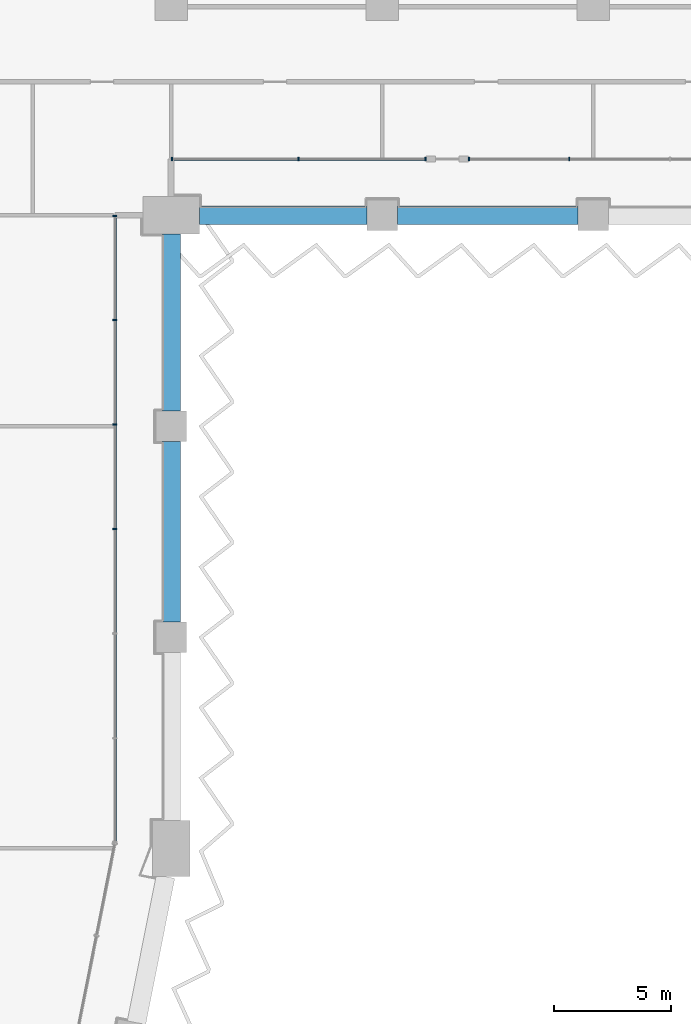
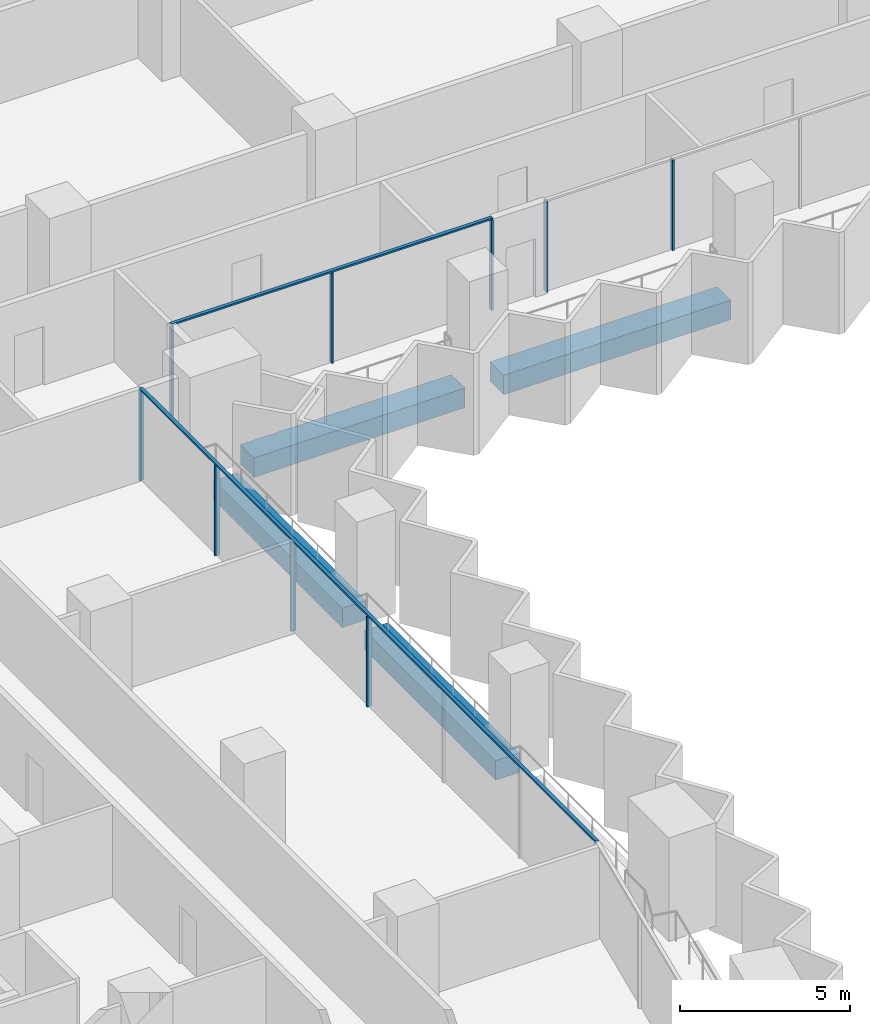
# One storey, part 4 of 29: 11 members, 4 beams, 3 elements without a shape of their own.
"""IFC4 building model written with IfcOpenShell, lengths in metres."""

from ifc_helpers import new_model, si_unit, direction, frame, origin, origin_2d, place, context, subcontext, project, spatial, rectangle, extrude, material, material_profile, profile_set, type_object, element, aggregate, save


model = new_model("IFC4")

# Units and contexts
model_context = context("Model", 3, precision=1e-05, world=origin(), true_north=direction((0.0, 1.0)))
body_context = subcontext(model_context, "Body", "Model", "MODEL_VIEW")
ifc_project = project(units=[si_unit("LENGTHUNIT", "METRE"), si_unit("AREAUNIT", "SQUARE_METRE"), si_unit("VOLUMEUNIT", "CUBIC_METRE"), si_unit("PLANEANGLEUNIT", "RADIAN"), si_unit("MASSUNIT", "GRAM", prefix="KILO")], contexts=[model_context])

# Site, building, storey
site_placement = place(None, origin())
site = spatial("IfcSite", under=ifc_project, at=site_placement, CompositionType="ELEMENT")
building_placement = place(site_placement, origin())
building = spatial("IfcBuilding", under=site, at=building_placement, Name="Hunhe Ridgeline Campus", CompositionType="ELEMENT")
storey_placement = place(building_placement, frame((0.0, 0.0, 46.89990234375)))
storey = spatial("IfcBuildingStorey", under=building, at=storey_placement, Name="L10", CompositionType="ELEMENT", Elevation=46.89990234375)

# Curtain wall, members
ifc_material_1 = material(Name="Aluminium 6063", Category="aluminium")
curtain_wall_type = type_object("IfcCurtainWallType", Name="Curtain wall CW-1", PredefinedType="NOTDEFINED", material=ifc_material_1)
curtain_wall_1_placement = place(storey_placement, origin())
curtain_wall_1 = element("IfcCurtainWall", 1, at=curtain_wall_1_placement, inside=storey, type_object=curtain_wall_type, Name="Curtain wall 11", PredefinedType="NOTDEFINED")
ifc_material_profile_1 = material_profile(ifc_material_1, rectangle(XDim=0.159912109375, YDim=0.06005859375, at=origin_2d()))
ifc_profile_set_1 = profile_set([ifc_material_profile_1], Name="Aluminium 6063")
member_type_1 = type_object("IfcMemberType", Name="CW-1 aluminium mullion", PredefinedType="MULLION", material=ifc_profile_set_1)
member_1_placement = place(storey_placement, frame((42.59912109375, 40.618408203125, 0.0), z_axis=(0.0, 0.0, 1.0), x_axis=(-1.0, 1.8682e-07, 0.0)))
member_1 = element("IfcMember", 2, at=member_1_placement, type_object=member_type_1, Name="CW-1 mullion 4", PredefinedType="MULLION", context=body_context, shape_type="SweptSolid", body=[
    extrude(rectangle(XDim=0.159912109375, YDim=0.06005859375, at=origin_2d()), origin(), (0.0, 0.0, 1.0), 3.239990234375),
])
member_2_placement = place(storey_placement, frame((42.59912109375, 45.078857421875, 0.0), z_axis=(0.0, 0.0, 1.0), x_axis=(-1.0, 1.8682e-07, 0.0)))
member_2 = element("IfcMember", 3, at=member_2_placement, type_object=member_type_1, Name="CW-1 mullion 5", PredefinedType="MULLION", context=body_context, shape_type="SweptSolid", body=[
    extrude(rectangle(XDim=0.159912109375, YDim=0.06005859375, at=origin_2d()), origin(), (0.0, 0.0, 1.0), 3.239990234375),
])
member_3_placement = place(storey_placement, frame((42.59912109375, 49.53955078125, 0.0), z_axis=(0.0, 0.0, 1.0), x_axis=(-1.0, 1.8682e-07, 0.0)))
member_3 = element("IfcMember", 4, at=member_3_placement, type_object=member_type_1, Name="CW-1 mullion 6", PredefinedType="MULLION", context=body_context, shape_type="SweptSolid", body=[
    extrude(rectangle(XDim=0.159912109375, YDim=0.06005859375, at=origin_2d()), origin(), (0.0, 0.0, 1.0), 3.239990234375),
])
member_4_placement = place(storey_placement, frame((42.59912109375, 53.97021484375, 0.0), z_axis=(0.0, 0.0, 1.0), x_axis=(-1.0, 1.8682e-07, 0.0)))
member_4 = element("IfcMember", 5, at=member_4_placement, type_object=member_type_1, Name="CW-1 mullion 7", PredefinedType="MULLION", context=body_context, shape_type="SweptSolid", body=[
    extrude(rectangle(XDim=0.159912109375, YDim=0.06005859375, at=origin_2d()), origin(), (0.0, 0.0, 1.0), 3.239990234375),
])

curtain_wall_2_placement = place(storey_placement, origin())
curtain_wall_2 = element("IfcCurtainWall", 6, at=curtain_wall_2_placement, inside=storey, type_object=curtain_wall_type, Name="Curtain wall 12", PredefinedType="NOTDEFINED")
member_5_placement = place(storey_placement, frame((45.029541015625, 56.40087890625, 0.0), z_axis=(0.0, 0.0, 1.0), x_axis=(-3.58625e-06, 0.999999999994, 0.0)))
member_5 = element("IfcMember", 7, at=member_5_placement, type_object=member_type_1, Name="CW-1 mullion 1", PredefinedType="MULLION", context=body_context, shape_type="SweptSolid", body=[
    extrude(rectangle(XDim=0.159912109375, YDim=0.06005859375, at=origin_2d()), origin(), (0.0, 0.0, 1.0), 3.239990234375),
])
member_6_placement = place(storey_placement, frame((50.436767578125, 56.40087890625, 0.0), z_axis=(0.0, 0.0, 1.0), x_axis=(-3.58625e-06, 0.999999999994, 0.0)))
member_6 = element("IfcMember", 8, at=member_6_placement, type_object=member_type_1, Name="CW-1 mullion 2", PredefinedType="MULLION", context=body_context, shape_type="SweptSolid", body=[
    extrude(rectangle(XDim=0.159912109375, YDim=0.06005859375, at=origin_2d()), origin(), (0.0, 0.0, 1.0), 3.239990234375),
])
member_7_placement = place(storey_placement, frame((55.84423828125, 56.40087890625, 0.0), z_axis=(0.0, 0.0, 1.0), x_axis=(-3.58625e-06, 0.999999999994, 0.0)))
member_7 = element("IfcMember", 9, at=member_7_placement, type_object=member_type_1, Name="CW-1 mullion 3", PredefinedType="MULLION", context=body_context, shape_type="SweptSolid", body=[
    extrude(rectangle(XDim=0.159912109375, YDim=0.06005859375, at=origin_2d()), origin(), (0.0, 0.0, 1.0), 3.239990234375),
])

curtain_wall_3_placement = place(storey_placement, origin())
curtain_wall_3 = element("IfcCurtainWall", 10, at=curtain_wall_3_placement, inside=storey, type_object=curtain_wall_type, Name="Curtain wall 13", PredefinedType="NOTDEFINED")
member_8_placement = place(storey_placement, frame((57.704345703125, 56.40087890625, 0.0), z_axis=(0.0, 0.0, 1.0), x_axis=(-3.602063e-06, 0.999999999994, 0.0)))
member_8 = element("IfcMember", 11, at=member_8_placement, type_object=member_type_1, Name="CW-1 mullion 1", PredefinedType="MULLION", context=body_context, shape_type="SweptSolid", body=[
    extrude(rectangle(XDim=0.159912109375, YDim=0.06005859375, at=origin_2d()), origin(), (0.0, 0.0, 1.0), 3.239990234375),
])
member_9_placement = place(storey_placement, frame((61.977294921875, 56.40087890625, 0.0), z_axis=(0.0, 0.0, 1.0), x_axis=(-3.602063e-06, 0.999999999994, 0.0)))
member_9 = element("IfcMember", 12, at=member_9_placement, type_object=member_type_1, Name="CW-1 mullion 2", PredefinedType="MULLION", context=body_context, shape_type="SweptSolid", body=[
    extrude(rectangle(XDim=0.159912109375, YDim=0.06005859375, at=origin_2d()), origin(), (0.0, 0.0, 1.0), 3.239990234375),
])
aggregate(curtain_wall_3, [member_8, member_9])

# Member
ifc_material_profile_2 = material_profile(ifc_material_1, rectangle(XDim=0.1201171875, YDim=0.06005859375, at=origin_2d()))
ifc_profile_set_2 = profile_set([ifc_material_profile_2], Name="Aluminium 6063")
member_type_2 = type_object("IfcMemberType", Name="CW-1 aluminium transom", PredefinedType="USERDEFINED", material=ifc_profile_set_2)
member_10_placement = place(storey_placement, frame((42.59912109375, 27.236572265625, 3.27001953125), z_axis=(0.0, 1.0, 0.0), x_axis=(-1.0, 0.0, 0.0)))
member_10 = element("IfcMember", 13, at=member_10_placement, type_object=member_type_2, Name="CW-1 transom 1", ObjectType="TRANSOM", PredefinedType="USERDEFINED", context=body_context, shape_type="SweptSolid", body=[
    extrude(rectangle(XDim=0.1201171875, YDim=0.06005859375, at=origin_2d()), origin(), (0.0, 0.0, 1.0), 26.763427734375),
])

aggregate(curtain_wall_1, [member_10, member_1, member_2, member_3, member_4])

member_11_placement = place(storey_placement, frame((44.99951171875, 56.40087890625, 3.27001953125), z_axis=(1.0, 0.0, 0.0), x_axis=(0.0, 1.0, 0.0)))
member_11 = element("IfcMember", 14, at=member_11_placement, type_object=member_type_2, Name="CW-1 transom 1", ObjectType="TRANSOM", PredefinedType="USERDEFINED", context=body_context, shape_type="SweptSolid", body=[
    extrude(rectangle(XDim=0.1201171875, YDim=0.06005859375, at=origin_2d()), origin(), (0.0, 0.0, 1.0), 10.874755859375),
])

aggregate(curtain_wall_2, [member_11, member_5, member_6, member_7])

# Beams
ifc_material_2 = material(Name="Concrete C60", Category="concrete")
ifc_material_profile_3 = material_profile(ifc_material_2, rectangle(XDim=0.800048828125, YDim=0.699951171875, at=origin_2d()))
ifc_profile_set_3 = profile_set([ifc_material_profile_3], Name="Concrete C60")
beam_type = type_object("IfcBeamType", Name="RC spandrel beam 800x700 Concrete C60", PredefinedType="SPANDREL", material=ifc_profile_set_3)
beam_1_placement = place(storey_placement, frame((45.0, 36.64990234375, -0.599853515625), z_axis=(0.0, 1.0, 0.0), x_axis=(-1.0, 0.0, 0.0)))
element("IfcBeam", 15, at=beam_1_placement, inside=storey, type_object=beam_type, Name="Spandrel beam B1-10 L10", PredefinedType="SPANDREL", context=body_context, shape_type="SweptSolid", body=[
    extrude(rectangle(XDim=0.800048828125, YDim=0.699951171875, at=origin_2d()), origin(), (0.0, 0.0, 1.0), 7.7001953125),
])
beam_2_placement = place(storey_placement, frame((45.0, 45.64990234375, -0.599853515625), z_axis=(0.0, 1.0, 0.0), x_axis=(-1.0, 0.0, 0.0)))
element("IfcBeam", 16, at=beam_2_placement, inside=storey, type_object=beam_type, Name="Spandrel beam B1-11 L10", PredefinedType="SPANDREL", context=body_context, shape_type="SweptSolid", body=[
    extrude(rectangle(XDim=0.800048828125, YDim=0.699951171875, at=origin_2d()), origin(), (0.0, 0.0, 1.0), 7.550048828125),
])
beam_3_placement = place(storey_placement, frame((46.199951171875, 54.0, -0.599853515625), z_axis=(1.0, 0.0, 0.0), x_axis=(0.0, 1.0, 0.0)))
element("IfcBeam", 17, at=beam_3_placement, inside=storey, type_object=beam_type, Name="Spandrel beam B1-12 L10", PredefinedType="SPANDREL", context=body_context, shape_type="SweptSolid", body=[
    extrude(rectangle(XDim=0.800048828125, YDim=0.699951171875, at=origin_2d()), origin(), (0.0, 0.0, 1.0), 7.150146484375),
])
beam_4_placement = place(storey_placement, frame((54.64990234375, 54.0, -0.599853515625), z_axis=(1.0, 0.0, 0.0), x_axis=(0.0, 1.0, 0.0)))
element("IfcBeam", 18, at=beam_4_placement, inside=storey, type_object=beam_type, Name="Spandrel beam B1-13 L10", PredefinedType="SPANDREL", context=body_context, shape_type="SweptSolid", body=[
    extrude(rectangle(XDim=0.800048828125, YDim=0.699951171875, at=origin_2d()), origin(), (0.0, 0.0, 1.0), 7.7001953125),
])

save(model, "model.ifc")
